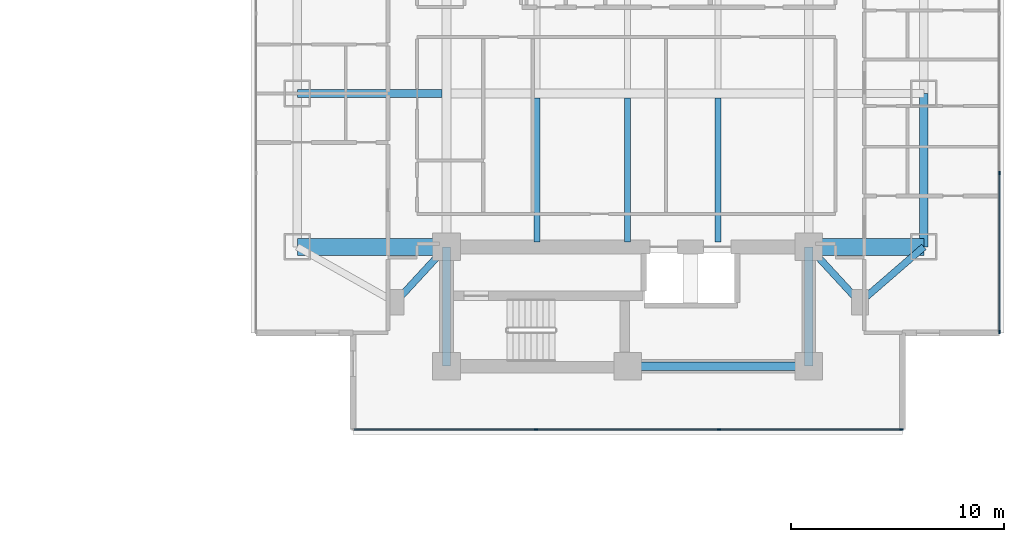
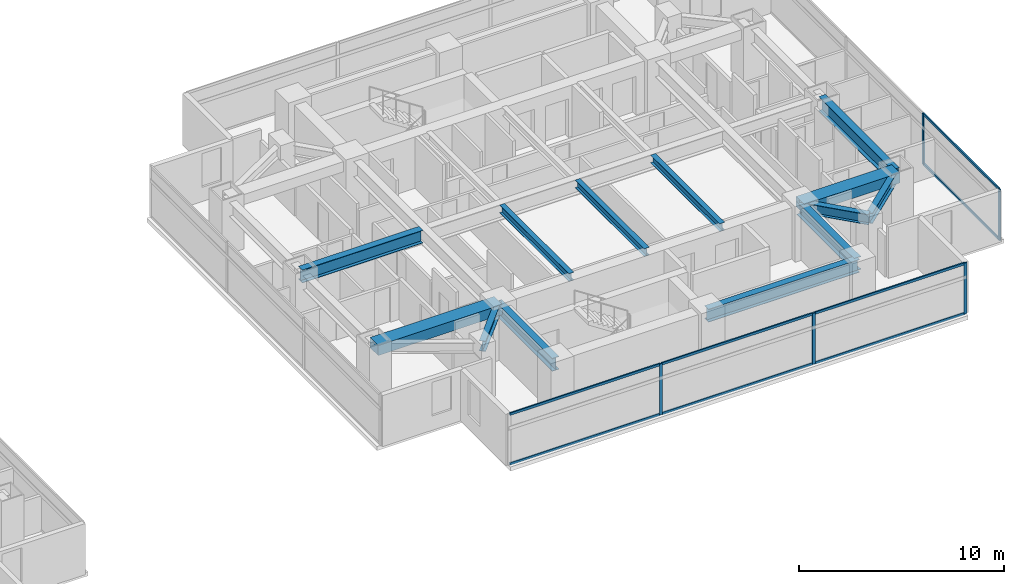
# One storey, part 10 of 27: 13 beams, 13 members, 2 elements without a shape of their own.
"""IFC4 building model written with IfcOpenShell, lengths in metres."""

from ifc_helpers import new_model, si_unit, direction, frame, origin, origin_2d, place, context, subcontext, project, spatial, rectangle, i_section, extrude, material, material_profile, profile_set, type_object, element, aggregate, save


model = new_model("IFC4")

# Units and contexts
model_context = context("Model", 3, precision=1e-05, world=origin(), true_north=direction((0.0, 1.0)))
body_context = subcontext(model_context, "Body", "Model", "MODEL_VIEW")
ifc_project = project(units=[si_unit("LENGTHUNIT", "METRE"), si_unit("AREAUNIT", "SQUARE_METRE"), si_unit("VOLUMEUNIT", "CUBIC_METRE"), si_unit("PLANEANGLEUNIT", "RADIAN"), si_unit("MASSUNIT", "GRAM", prefix="KILO")], contexts=[model_context])

# Site, building, storey
site_placement = place(None, origin())
site = spatial("IfcSite", under=ifc_project, at=site_placement, CompositionType="ELEMENT")
building_placement = place(site_placement, origin())
building = spatial("IfcBuilding", under=site, at=building_placement, Name="Mirazonda Arch Towers", CompositionType="ELEMENT")
storey_placement = place(building_placement, frame((0.0, 0.0, 52.10009765625)))
storey = spatial("IfcBuildingStorey", under=building, at=storey_placement, Name="L14", CompositionType="ELEMENT", Elevation=52.10009765625)

# Beams
ifc_material_1 = material(Name="Steel ASTM A992 Grade 50", Category="steel")
ifc_material_profile_1 = material_profile(ifc_material_1, i_section(OverallWidth=0.39990234375, OverallDepth=0.85595703125, WebThickness=0.018310546875, FlangeThickness=0.029296875, at=origin_2d()), Name="W33X201")
ifc_profile_set_1 = profile_set([ifc_material_profile_1], Name="Steel ASTM A992 Grade 50")
beam_type_1 = type_object("IfcBeamType", Name="BM-EXT-W33X201", PredefinedType="USERDEFINED", material=ifc_profile_set_1)
beam_1_placement = place(storey_placement, frame((90.39990234375, 20.800048828125, 2.6318359375), z_axis=(0.0, 1.0, 0.0), x_axis=(-1.0, 0.0, 0.0)))
element("IfcBeam", 1, at=beam_1_placement, inside=storey, type_object=beam_type_1, Name="L14 Floor Beam BM-T2-L14-NS-E-20", ObjectType="GIRDER", PredefinedType="USERDEFINED", context=body_context, shape_type="SweptSolid", body=[
    extrude(i_section(OverallWidth=0.39990234375, OverallDepth=0.85595703125, WebThickness=0.018310546875, FlangeThickness=0.029296875, at=origin_2d()), origin(), (0.0, 0.0, 1.0), 7.199951171875),
])
ifc_material_profile_2 = material_profile(ifc_material_1, i_section(OverallWidth=0.280029296875, OverallDepth=0.462890625, WebThickness=0.0107421875, FlangeThickness=0.017333984375, at=origin_2d()), Name="W18X76")
ifc_profile_set_2 = profile_set([ifc_material_profile_2], Name="Steel ASTM A992 Grade 50")
beam_type_2 = type_object("IfcBeamType", Name="BM-INT-W18X76", PredefinedType="JOIST", material=ifc_profile_set_2)
for number, where, z_axis, x_axis, name in (
    (2, (72.25, 21.0400390625, 2.828369140625), (0.0, 1.0, 0.0), (-1.0, 0.0, 0.0), "L14 Floor Beam BM-T2-L14-J-722-20"),
    (3, (76.5, 21.0400390625, 2.828369140625), (0.0, 1.0, 0.0), (-1.0, 0.0, 0.0), "L14 Floor Beam BM-T2-L14-J-765-20"),
    (4, (80.75, 21.0400390625, 2.828369140625), (0.0, 1.0, 0.0), (-1.0, 0.0, 0.0), "L14 Floor Beam BM-T2-L14-J-807-20"),
):
    element("IfcBeam", number, at=place(storey_placement, frame(where, z_axis=z_axis, x_axis=x_axis)), inside=storey, type_object=beam_type_2, Name=name, PredefinedType="JOIST", context=body_context, shape_type="SweptSolid", body=[
        extrude(i_section(OverallWidth=0.280029296875, OverallDepth=0.462890625, WebThickness=0.0107421875, FlangeThickness=0.017333984375, at=origin_2d()), origin(), (0.0, 0.0, 1.0), 6.7548828125),
    ])
ifc_material_profile_3 = material_profile(ifc_material_1, i_section(OverallWidth=0.324951171875, OverallDepth=0.615966796875, WebThickness=0.013916015625, FlangeThickness=0.021484375, at=origin_2d()), Name="W24X117")
ifc_profile_set_3 = profile_set([ifc_material_profile_3], Name="Steel ASTM A992 Grade 50")
beam_type_3 = type_object("IfcBeamType", Name="BM-INT-W24X117", PredefinedType="BEAM", material=ifc_profile_set_3)
for number, where, z_axis, x_axis, name in (
    (5, (65.60009765625, 18.199951171875, 2.751953125), (0.678251444854, 0.734829897019, 0.0), (-0.734829897019, 0.678251444854, 0.0), "L14 Floor Beam BM-T2-L14-PL-SW1"),
    (6, (87.39990234375, 18.199951171875, 2.751953125), (-0.678251444854, 0.734829897019, 0.0), (-0.734829897019, -0.678251444854, 0.0), "L14 Floor Beam BM-T2-L14-PL-SE1"),
):
    element("IfcBeam", number, at=place(storey_placement, frame(where, z_axis=z_axis, x_axis=x_axis)), inside=storey, type_object=beam_type_3, Name=name, PredefinedType="BEAM", context=body_context, shape_type="SweptSolid", body=[
        extrude(i_section(OverallWidth=0.324951171875, OverallDepth=0.615966796875, WebThickness=0.013916015625, FlangeThickness=0.021484375, at=origin_2d()), origin(), (0.0, 0.0, 1.0), 3.538330078125),
    ])
beam_2_placement = place(storey_placement, frame((87.39990234375, 18.199951171875, 2.751953125), z_axis=(0.755676908098, 0.654944585876, 0.0), x_axis=(-0.654944585876, 0.755676908098, 0.0)))
element("IfcBeam", 7, at=beam_2_placement, inside=storey, type_object=beam_type_3, Name="L14 Floor Beam BM-T2-L14-PL-SE2", PredefinedType="BEAM", context=body_context, shape_type="SweptSolid", body=[
    extrude(i_section(OverallWidth=0.324951171875, OverallDepth=0.615966796875, WebThickness=0.013916015625, FlangeThickness=0.021484375, at=origin_2d()), origin(), (0.0, 0.0, 1.0), 3.969970703125),
])
ifc_material_profile_4 = material_profile(ifc_material_1, i_section(OverallWidth=0.381103515625, OverallDepth=0.77294921875, WebThickness=0.0166015625, FlangeThickness=0.027099609375, at=origin_2d()), Name="W30X173")
ifc_profile_set_4 = profile_set([ifc_material_profile_4], Name="Steel ASTM A992 Grade 50")
beam_type_4 = type_object("IfcBeamType", Name="BM-INT-W30X173", PredefinedType="USERDEFINED", material=ifc_profile_set_4)
beam_3_placement = place(storey_placement, frame((76.5, 15.199951171875, 2.67333984375), z_axis=(1.0, 0.0, 0.0), x_axis=(0.0, 1.0, 0.0)))
element("IfcBeam", 8, at=beam_3_placement, inside=storey, type_object=beam_type_4, Name="L14 Floor Beam BM-T2-L14-CS2", ObjectType="GIRDER", PredefinedType="USERDEFINED", context=body_context, shape_type="SweptSolid", body=[
    extrude(i_section(OverallWidth=0.381103515625, OverallDepth=0.77294921875, WebThickness=0.0166015625, FlangeThickness=0.027099609375, at=origin_2d()), origin(), (0.0, 0.0, 1.0), 8.5),
])
for number, where, z_axis, x_axis, name in (
    (9, (68.0, 15.199951171875, 2.67333984375), (0.0, 1.0, 0.0), (-1.0, 0.0, 0.0), "L14 Floor Beam BM-T2-L14-CSW"),
    (10, (85.0, 15.199951171875, 2.67333984375), (0.0, 1.0, 0.0), (-1.0, 0.0, 0.0), "L14 Floor Beam BM-T2-L14-CSE"),
):
    element("IfcBeam", number, at=place(storey_placement, frame(where, z_axis=z_axis, x_axis=x_axis)), inside=storey, type_object=beam_type_4, Name=name, ObjectType="GIRDER", PredefinedType="USERDEFINED", context=body_context, shape_type="SweptSolid", body=[
        extrude(i_section(OverallWidth=0.381103515625, OverallDepth=0.77294921875, WebThickness=0.0166015625, FlangeThickness=0.027099609375, at=origin_2d()), origin(), (0.0, 0.0, 1.0), 5.60009765625),
    ])
beam_4_placement = place(storey_placement, frame((61.0, 28.0, 2.67333984375), z_axis=(1.0, 0.0, 0.0), x_axis=(0.0, 1.0, 0.0)))
element("IfcBeam", 11, at=beam_4_placement, inside=storey, type_object=beam_type_4, Name="L14 Floor Beam BM-T2-L14-GW2", ObjectType="GIRDER", PredefinedType="USERDEFINED", context=body_context, shape_type="SweptSolid", body=[
    extrude(i_section(OverallWidth=0.381103515625, OverallDepth=0.77294921875, WebThickness=0.0166015625, FlangeThickness=0.027099609375, at=origin_2d()), origin(), (0.0, 0.0, 1.0), 6.791015625),
])
ifc_material_2 = material(Name="Concrete C60/75", Category="concrete")
ifc_material_profile_5 = material_profile(ifc_material_2, rectangle(XDim=0.800048828125, YDim=0.60009765625, at=origin_2d()), Name="RCCB800x600")
ifc_profile_set_5 = profile_set([ifc_material_profile_5], Name="Concrete C60/75")
beam_type_5 = type_object("IfcBeamType", Name="CB-INT-RCCB800x600", PredefinedType="SPANDREL", material=ifc_profile_set_5)
beam_5_placement = place(storey_placement, frame((61.0, 20.800048828125, 2.760009765625), z_axis=(1.0, 0.0, 0.0), x_axis=(0.0, 1.0, 0.0)))
element("IfcBeam", 12, at=beam_5_placement, inside=storey, type_object=beam_type_5, Name="L14 Floor Beam CBC-T2-L14-SW", PredefinedType="SPANDREL", context=body_context, shape_type="SweptSolid", body=[
    extrude(rectangle(XDim=0.800048828125, YDim=0.60009765625, at=origin_2d()), origin(), (0.0, 0.0, 1.0), 7.0),
])
beam_6_placement = place(storey_placement, frame((85.0, 20.800048828125, 2.760009765625), z_axis=(1.0, 0.0, 0.0), x_axis=(0.0, 1.0, 0.0)))
element("IfcBeam", 13, at=beam_6_placement, inside=storey, type_object=beam_type_5, Name="L14 Floor Beam CBC-T2-L14-SE", PredefinedType="SPANDREL", context=body_context, shape_type="SweptSolid", body=[
    extrude(rectangle(XDim=0.800048828125, YDim=0.60009765625, at=origin_2d()), origin(), (0.0, 0.0, 1.0), 5.39990234375),
])

# Curtain wall, members
ifc_material_3 = material(Name="Anodised Aluminium and Low-E Glass", Category="aluminium")
curtain_wall_type = type_object("IfcCurtainWallType", Name="CW-HTL-UNIT", PredefinedType="NOTDEFINED", material=ifc_material_3)
curtain_wall_1_placement = place(storey_placement, origin())
curtain_wall_1 = element("IfcCurtainWall", 14, at=curtain_wall_1_placement, inside=storey, type_object=curtain_wall_type, Name="L14 T2 S Facade CW-L14-T2-S", PredefinedType="NOTDEFINED")
ifc_material_4 = material(Name="Anodised Aluminium Alloy", Category="aluminium")
ifc_material_profile_6 = material_profile(ifc_material_4, rectangle(XDim=0.074951171875, YDim=0.1650390625, at=origin_2d()), Name="ALU-MULL-75x165")
ifc_profile_set_6 = profile_set([ifc_material_profile_6], Name="Anodised Aluminium Alloy")
member_type_1 = type_object("IfcMemberType", Name="MULL-CW-HTL-UNIT", PredefinedType="MULLION", material=ifc_profile_set_6)
member_1_placement = place(storey_placement, frame((89.3564453125, 12.22412109375, 0.0), z_axis=(0.0, 0.0, 1.0), x_axis=(0.0, -1.0, 0.0)))
member_1 = element("IfcMember", 15, at=member_1_placement, type_object=member_type_1, Name="CW-112 mullion 1", PredefinedType="MULLION", context=body_context, shape_type="SweptSolid", body=[
    extrude(rectangle(XDim=0.074951171875, YDim=0.1650390625, at=origin_2d()), origin(), (0.0, 0.0, 1.0), 3.039794921875),
])
member_2_placement = place(storey_placement, frame((80.798095703125, 12.22412109375, 0.0), z_axis=(0.0, 0.0, 1.0), x_axis=(0.0, -1.0, 0.0)))
member_2 = element("IfcMember", 16, at=member_2_placement, type_object=member_type_1, Name="CW-112 mullion 2", PredefinedType="MULLION", context=body_context, shape_type="SweptSolid", body=[
    extrude(rectangle(XDim=0.074951171875, YDim=0.1650390625, at=origin_2d()), origin(), (0.0, 0.0, 1.0), 3.039794921875),
])
member_3_placement = place(storey_placement, frame((72.201904296875, 12.22412109375, 0.0), z_axis=(0.0, 0.0, 1.0), x_axis=(0.0, -1.0, 0.0)))
member_3 = element("IfcMember", 17, at=member_3_placement, type_object=member_type_1, Name="CW-112 mullion 3", PredefinedType="MULLION", context=body_context, shape_type="SweptSolid", body=[
    extrude(rectangle(XDim=0.074951171875, YDim=0.1650390625, at=origin_2d()), origin(), (0.0, 0.0, 1.0), 3.039794921875),
])

curtain_wall_2_placement = place(storey_placement, origin())
curtain_wall_2 = element("IfcCurtainWall", 18, at=curtain_wall_2_placement, inside=storey, type_object=curtain_wall_type, Name="L14 T2 E Facade CW-L14-T2-E", PredefinedType="NOTDEFINED")
member_4_placement = place(storey_placement, frame((93.93994140625, 16.8076171875, 0.0), z_axis=(0.0, 0.0, 1.0), x_axis=(-1.0, 0.0, 0.0)))
member_4 = element("IfcMember", 19, at=member_4_placement, type_object=member_type_1, Name="CW-112 mullion 1", PredefinedType="MULLION", context=body_context, shape_type="SweptSolid", body=[
    extrude(rectangle(XDim=0.074951171875, YDim=0.1650390625, at=origin_2d()), origin(), (0.0, 0.0, 1.0), 3.039794921875),
])
member_5_placement = place(storey_placement, frame((93.93994140625, 24.256591796875, 0.0), z_axis=(0.0, 0.0, 1.0), x_axis=(-1.0, 0.0, 0.0)))
member_5 = element("IfcMember", 20, at=member_5_placement, type_object=member_type_1, Name="CW-112 mullion 2", PredefinedType="MULLION", context=body_context, shape_type="SweptSolid", body=[
    extrude(rectangle(XDim=0.074951171875, YDim=0.1650390625, at=origin_2d()), origin(), (0.0, 0.0, 1.0), 3.039794921875),
])

# Member
ifc_material_profile_7 = material_profile(ifc_material_4, rectangle(XDim=0.074951171875, YDim=0.14501953125, at=origin_2d()), Name="ALU-TRAN-75x145")
ifc_profile_set_7 = profile_set([ifc_material_profile_7], Name="Anodised Aluminium Alloy")
member_type_2 = type_object("IfcMemberType", Name="TRAN-CW-HTL-UNIT", PredefinedType="USERDEFINED", material=ifc_profile_set_7)
member_6_placement = place(storey_placement, frame((89.319091796875, 12.22412109375, 0.037353515625), z_axis=(-1.0, 0.0, 0.0), x_axis=(0.0, -1.0, 0.0)))
member_6 = element("IfcMember", 21, at=member_6_placement, type_object=member_type_2, Name="CW-112 transom 1.1", ObjectType="TRANSOM", PredefinedType="USERDEFINED", context=body_context, shape_type="SweptSolid", body=[
    extrude(rectangle(XDim=0.074951171875, YDim=0.14501953125, at=origin_2d()), origin(), (0.0, 0.0, 1.0), 8.483642578125),
])

member_7_placement = place(storey_placement, frame((89.319091796875, 12.22412109375, 3.00244140625), z_axis=(-1.0, 0.0, 0.0), x_axis=(0.0, -1.0, 0.0)))
member_7 = element("IfcMember", 22, at=member_7_placement, type_object=member_type_2, Name="CW-112 transom 1.2", ObjectType="TRANSOM", PredefinedType="USERDEFINED", context=body_context, shape_type="SweptSolid", body=[
    extrude(rectangle(XDim=0.074951171875, YDim=0.14501953125, at=origin_2d()), origin(), (0.0, 0.0, 1.0), 8.483642578125),
])

member_8_placement = place(storey_placement, frame((80.760498046875, 12.22412109375, 0.037353515625), z_axis=(-1.0, 0.0, 0.0), x_axis=(0.0, -1.0, 0.0)))
member_8 = element("IfcMember", 23, at=member_8_placement, type_object=member_type_2, Name="CW-112 transom 2.1", ObjectType="TRANSOM", PredefinedType="USERDEFINED", context=body_context, shape_type="SweptSolid", body=[
    extrude(rectangle(XDim=0.074951171875, YDim=0.14501953125, at=origin_2d()), origin(), (0.0, 0.0, 1.0), 8.52099609375),
])

member_9_placement = place(storey_placement, frame((80.760498046875, 12.22412109375, 3.00244140625), z_axis=(-1.0, 0.0, 0.0), x_axis=(0.0, -1.0, 0.0)))
member_9 = element("IfcMember", 24, at=member_9_placement, type_object=member_type_2, Name="CW-112 transom 2.2", ObjectType="TRANSOM", PredefinedType="USERDEFINED", context=body_context, shape_type="SweptSolid", body=[
    extrude(rectangle(XDim=0.074951171875, YDim=0.14501953125, at=origin_2d()), origin(), (0.0, 0.0, 1.0), 8.52099609375),
])

member_10_placement = place(storey_placement, frame((72.16455078125, 12.22412109375, 0.037353515625), z_axis=(-1.0, 0.0, 0.0), x_axis=(0.0, -1.0, 0.0)))
member_10 = element("IfcMember", 25, at=member_10_placement, type_object=member_type_2, Name="CW-112 transom 3.1", ObjectType="TRANSOM", PredefinedType="USERDEFINED", context=body_context, shape_type="SweptSolid", body=[
    extrude(rectangle(XDim=0.074951171875, YDim=0.14501953125, at=origin_2d()), origin(), (0.0, 0.0, 1.0), 8.483642578125),
])

member_11_placement = place(storey_placement, frame((72.16455078125, 12.22412109375, 3.00244140625), z_axis=(-1.0, 0.0, 0.0), x_axis=(0.0, -1.0, 0.0)))
member_11 = element("IfcMember", 26, at=member_11_placement, type_object=member_type_2, Name="CW-112 transom 3.2", ObjectType="TRANSOM", PredefinedType="USERDEFINED", context=body_context, shape_type="SweptSolid", body=[
    extrude(rectangle(XDim=0.074951171875, YDim=0.14501953125, at=origin_2d()), origin(), (0.0, 0.0, 1.0), 8.483642578125),
])

aggregate(curtain_wall_1, [member_1, member_2, member_3, member_6, member_7, member_8, member_9, member_10, member_11])

member_12_placement = place(storey_placement, frame((93.93994140625, 16.844970703125, 0.037353515625), z_axis=(0.0, 1.0, 0.0), x_axis=(-1.0, 0.0, 0.0)))
member_12 = element("IfcMember", 27, at=member_12_placement, type_object=member_type_2, Name="CW-112 transom 1.1", ObjectType="TRANSOM", PredefinedType="USERDEFINED", context=body_context, shape_type="SweptSolid", body=[
    extrude(rectangle(XDim=0.074951171875, YDim=0.14501953125, at=origin_2d()), origin(), (0.0, 0.0, 1.0), 7.374267578125),
])

member_13_placement = place(storey_placement, frame((93.93994140625, 16.844970703125, 3.00244140625), z_axis=(0.0, 1.0, 0.0), x_axis=(-1.0, 0.0, 0.0)))
member_13 = element("IfcMember", 28, at=member_13_placement, type_object=member_type_2, Name="CW-112 transom 1.2", ObjectType="TRANSOM", PredefinedType="USERDEFINED", context=body_context, shape_type="SweptSolid", body=[
    extrude(rectangle(XDim=0.074951171875, YDim=0.14501953125, at=origin_2d()), origin(), (0.0, 0.0, 1.0), 7.374267578125),
])

aggregate(curtain_wall_2, [member_4, member_5, member_12, member_13])

save(model, "model.ifc")
